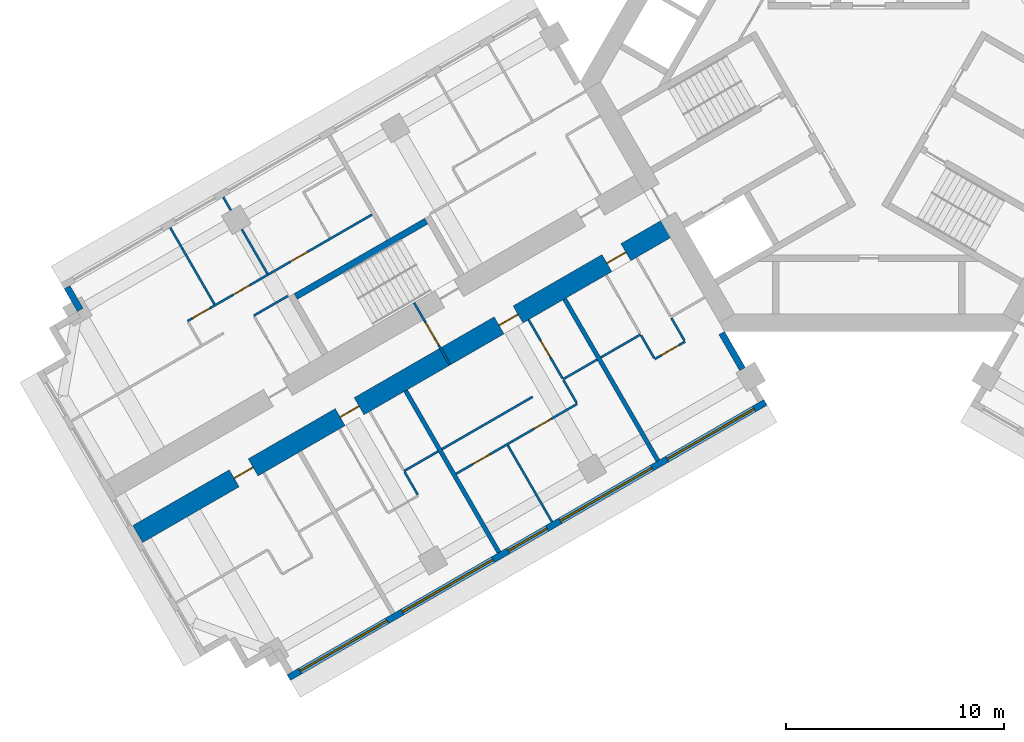
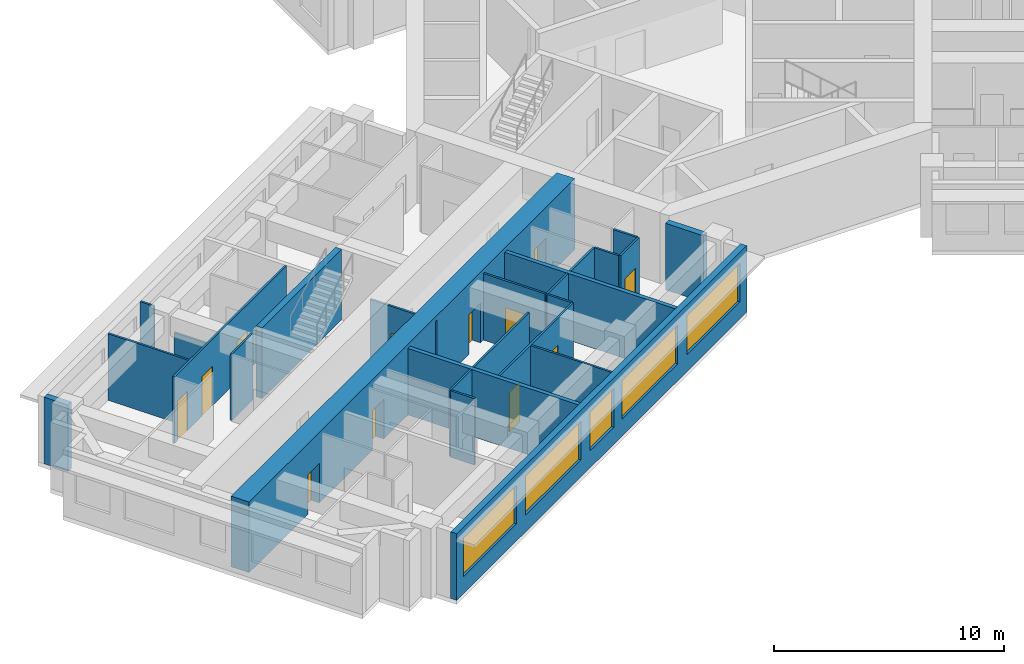
# One storey, part 3 of 12: 25 walls, 12 doors, 5 windows, 17 openings.
"""IFC4 building model written with IfcOpenShell, lengths in metres."""

import ifcopenshell
import ifcopenshell.guid

model = None  # the IFC model being written
_history = None  # IfcOwnerHistory: only IFC2X3 demands one
_inside = {}  # id of a spatial element -> (the spatial element, [elements in it])
_under = {}  # id of a project, library or spatial element -> (it, [spatial elements below it])
_declared = {}  # id of a project -> (the project, [libraries it declares])
_typed = {}  # id of a type object -> (the type object, [elements of that type])
_made_of = {}  # id of a material, layer set ... -> (it, [elements and type objects made of it])


def new_model(schema):
    """Start an empty IFC model of exactly this schema.

    Asked for "IFC4X3", IfcOpenShell would pick the latest addendum, in which some entities
    have other attributes; the version numbers below select the first issue.
    IFC2X3 requires an IfcOwnerHistory on every rooted entity: one is made here for all.
    """
    global model, _history
    if schema == "IFC4X3":
        model = ifcopenshell.file(schema_version=(4, 3, 0, 0))
    else:
        model = ifcopenshell.file(schema=schema)
    _inside.clear()
    _under.clear()
    _declared.clear()
    _typed.clear()
    _made_of.clear()
    _history = None
    if model.schema == "IFC2X3":
        org = make("IfcOrganization", Name="unknown")
        user = make(
            "IfcPersonAndOrganization",
            ThePerson=make("IfcPerson", FamilyName="unknown"),
            TheOrganization=org,
        )
        app = make(
            "IfcApplication",
            ApplicationDeveloper=org,
            Version="unknown",
            ApplicationFullName="unknown",
            ApplicationIdentifier="unknown",
        )
        _history = make(
            "IfcOwnerHistory",
            OwningUser=user,
            OwningApplication=app,
            ChangeAction="ADDED",
            CreationDate=0,
        )
    return model


def make(cls, **values):
    """One entity of the class cls with the attributes given. An attribute that is None is left unset."""
    return model.create_entity(
        cls, **{name: value for name, value in values.items() if value is not None}
    )


def rooted(cls, **values):
    """An entity with a GlobalId (a new one), such as an element, a storey or a relation."""
    return make(cls, GlobalId=ifcopenshell.guid.new(), OwnerHistory=_history, **values)


def si_unit(unit_type, name, prefix=None):
    """IfcSIUnit, for example si_unit("LENGTHUNIT", "METRE", prefix="MILLI")."""
    return make("IfcSIUnit", UnitType=unit_type, Prefix=prefix, Name=name)


def assignment(units):
    """IfcUnitAssignment: the units of a project."""
    return None if units is None else make("IfcUnitAssignment", Units=units)


def point(xyz):
    """IfcCartesianPoint."""
    return None if xyz is None else make("IfcCartesianPoint", Coordinates=xyz)


def direction(xyz):
    """IfcDirection."""
    return None if xyz is None else make("IfcDirection", DirectionRatios=xyz)


def frame(location, z_axis=None, x_axis=None):
    """IfcAxis2Placement3D, a coordinate frame: its origin and axes. An axis left out is left unset."""
    return make(
        "IfcAxis2Placement3D",
        Location=point(location),
        Axis=direction(z_axis),
        RefDirection=direction(x_axis),
    )


def frame_2d(location, x_axis=None):
    """IfcAxis2Placement2D, a coordinate frame in the plane: its origin and x axis."""
    return make(
        "IfcAxis2Placement2D", Location=point(location), RefDirection=direction(x_axis)
    )


def origin():
    """The frame at (0, 0, 0) with its axes left unset."""
    return frame((0.0, 0.0, 0.0))


def place(relative_to, where):
    """IfcLocalPlacement: puts the frame where relative to a parent placement (None: the world)."""
    return make(
        "IfcLocalPlacement", PlacementRelTo=relative_to, RelativePlacement=where
    )


def context(
    kind, dimensions, precision=None, world=None, true_north=None, identifier=None
):
    """IfcGeometricRepresentationContext, for example the 3D "Model" context."""
    return make(
        "IfcGeometricRepresentationContext",
        ContextIdentifier=identifier,
        ContextType=kind,
        CoordinateSpaceDimension=dimensions,
        Precision=precision,
        WorldCoordinateSystem=world,
        TrueNorth=true_north,
    )


def subcontext(parent, identifier, kind, view, scale=None):
    """IfcGeometricRepresentationSubContext, for example "Body" below "Model"."""
    return make(
        "IfcGeometricRepresentationSubContext",
        ContextIdentifier=identifier,
        ContextType=kind,
        ParentContext=parent,
        TargetScale=scale,
        TargetView=view,
    )


def project(units=None, contexts=None):
    """IfcProject with its units and contexts."""
    return rooted(
        "IfcProject",
        Name="project",
        RepresentationContexts=contexts,
        UnitsInContext=assignment(units),
    )


def spatial(cls, under=None, at=None, **own):
    """A site, building, storey or space (cls), placed at a placement, below another one or the project."""
    s = rooted(cls, ObjectPlacement=at, **own)
    if under is not None:
        _under.setdefault(under.id(), (under, []))[1].append(s)
    return s


def profile(cls, at=None, kind="AREA", **sizes):
    """A parametric profile (cls). Its sizes go by their IFC names, for example OverallWidth=200.0."""
    return make(cls, ProfileType=kind, Position=at, **sizes)


def rectangle(**sizes):
    """IfcRectangleProfileDef."""
    return profile("IfcRectangleProfileDef", **sizes)


def extrude(swept, where, along, depth):
    """IfcExtrudedAreaSolid: the profile swept, set in the frame where, extruded along a direction by depth."""
    return make(
        "IfcExtrudedAreaSolid",
        SweptArea=swept,
        Position=where,
        ExtrudedDirection=direction(along),
        Depth=depth,
    )


def shape(context_of_items, identifier, shape_type, items):
    """IfcShapeRepresentation: the items that make up one representation, for example the "Body"."""
    return make(
        "IfcShapeRepresentation",
        ContextOfItems=context_of_items,
        RepresentationIdentifier=identifier,
        RepresentationType=shape_type,
        Items=items,
    )


def material(Name=None, Category=None):
    """IfcMaterial."""
    return make("IfcMaterial", Name=Name, Category=Category)


def layer(
    of_material, thickness, ventilated=None, Name=None, Category=None, Priority=None
):
    """IfcMaterialLayer: one layer of a wall or slab, of a material (None: an air gap)."""
    return make(
        "IfcMaterialLayer",
        Material=of_material,
        LayerThickness=thickness,
        IsVentilated=ventilated,
        Name=Name,
        Category=Category,
        Priority=Priority,
    )


def layer_set(layers, Name=None):
    """IfcMaterialLayerSet."""
    return make("IfcMaterialLayerSet", MaterialLayers=layers, LayerSetName=Name)


def made_of(thing, what):
    """Note that an element or type object is made of a material, layer set ...; save() writes the relation."""
    if what is not None:
        _made_of.setdefault(what.id(), (what, []))[1].append(thing)
    return thing


def type_object(cls, material=None, **own):
    """A type object (cls), such as IfcWallType, which elements share."""
    return made_of(rooted(cls, **own), material)


def element(
    cls,
    number,
    at=None,
    inside=None,
    cuts=None,
    type_object=None,
    material=None,
    context=None,
    identifier="Body",
    shape_type=None,
    held_by="IfcProductDefinitionShape",
    body=None,
    shapes=None,
    **own,
):
    """One element of the class cls, such as IfcWall. Its Tag is "e" and its number.

    at: its placement. inside: the storey or other place that contains it. cuts: it is an
    opening in that element (IfcRelVoidsElement). A single representation is given by context,
    identifier, shape_type and body (its items); several are given by shapes. held_by: the class
    of the entity that holds the representations. save() writes the other relations.
    """
    e = rooted(cls, Tag="e%d" % number, ObjectPlacement=at, **own)
    if body is not None:
        shapes = [shape(context, identifier, shape_type, body)]
    if shapes is not None:
        e.Representation = make(held_by, Representations=shapes)
    if inside is not None:
        _inside.setdefault(inside.id(), (inside, []))[1].append(e)
    if cuts is not None:
        rooted(
            "IfcRelVoidsElement", RelatingBuildingElement=cuts, RelatedOpeningElement=e
        )
    if type_object is not None:
        _typed.setdefault(type_object.id(), (type_object, []))[1].append(e)
    return made_of(e, material)


def fill(opening, filler):
    """IfcRelFillsElement: the door or window that sits in an opening."""
    return rooted(
        "IfcRelFillsElement",
        RelatingOpeningElement=opening,
        RelatedBuildingElement=filler,
    )


def aggregate(whole, parts):
    """IfcRelAggregates: a whole, such as a stair, and the parts it consists of."""
    return rooted("IfcRelAggregates", RelatingObject=whole, RelatedObjects=parts)


def save(model, path):
    """Write the relations noted so far, then the file.

    IfcRelAggregates (storeys below a building ...), IfcRelContainedInSpatialStructure (elements
    in a storey), IfcRelDefinesByType, IfcRelAssociatesMaterial and IfcRelDeclares: one each for
    every whole, place, type object, material and project.
    """
    for whole, parts in _under.values():
        aggregate(whole, parts)
    for where, things in _inside.values():
        rooted(
            "IfcRelContainedInSpatialStructure",
            RelatedElements=things,
            RelatingStructure=where,
        )
    for kind, things in _typed.values():
        rooted("IfcRelDefinesByType", RelatedObjects=things, RelatingType=kind)
    for what, things in _made_of.values():
        rooted("IfcRelAssociatesMaterial", RelatedObjects=things, RelatingMaterial=what)
    for by, libraries in _declared.values():
        rooted("IfcRelDeclares", RelatingContext=by, RelatedDefinitions=libraries)
    model.write(path)


model = new_model("IFC4")

# Units and contexts
model_context = context("Model", 3, precision=1e-05, world=origin(), true_north=direction((0.0, 1.0)))
body_context = subcontext(model_context, "Body", "Model", "MODEL_VIEW")
ifc_project = project(units=[si_unit("LENGTHUNIT", "METRE"), si_unit("AREAUNIT", "SQUARE_METRE"), si_unit("VOLUMEUNIT", "CUBIC_METRE"), si_unit("PLANEANGLEUNIT", "RADIAN"), si_unit("MASSUNIT", "GRAM", prefix="KILO")], contexts=[model_context])

# Site, building, storey
site_placement = place(None, origin())
site = spatial("IfcSite", under=ifc_project, at=site_placement, CompositionType="ELEMENT")
building_placement = place(site_placement, origin())
building = spatial("IfcBuilding", under=site, at=building_placement, Name="Impinga Residences", CompositionType="ELEMENT")
storey_placement = place(building_placement, frame((0.0, 0.0, 166.0)))
storey = spatial("IfcBuildingStorey", under=building, at=storey_placement, Name="L41", CompositionType="ELEMENT", Elevation=166.0)

# Wall, openings, doors
ifc_material_1 = material(Name="Concrete C60/75", Category="concrete")
ifc_layer_1 = layer(ifc_material_1, 0.89990234375)
ifc_layer_set_1 = layer_set([ifc_layer_1], Name="Concrete C60/75")
wall_type_1 = type_object("IfcWallType", Name="BW2 corridor buttress wall, L24 to L44 900", PredefinedType="SHEAR", material=ifc_layer_set_1)
wall_1_placement = place(storey_placement, frame((-8.95361328125, -6.554931640625, 0.0), z_axis=(0.0, 0.0, 1.0), x_axis=(-0.866023392092, -0.500003484338, 0.0)))
wall_1 = element("IfcWall", 1, at=wall_1_placement, inside=storey, type_object=wall_type_1, Name="Corridor wall BW2 WC L41", PredefinedType="SHEAR", context=body_context, shape_type="SweptSolid", body=[
    extrude(rectangle(XDim=28.300048828125, YDim=0.89990234375, at=frame_2d((14.14990234375, 0.0))), origin(), (0.0, 0.0, 1.0), 3.75),
])
opening_1_placement = place(wall_1_placement, frame((2.5, 0.0, 0.0)))
opening_1 = element("IfcOpeningElement", 2, at=opening_1_placement, cuts=wall_1, Name="Opening D1", PredefinedType="OPENING", context=body_context, shape_type="SweptSolid", body=[
    extrude(rectangle(XDim=1.0, YDim=2.10009765625, at=frame_2d((0.5, 1.050048828125))), frame((0.0, 0.4599609375, 0.0), z_axis=(0.0, -1.0, 0.0), x_axis=(1.0, 0.0, 0.0)), (0.0, 0.0, 1.0), 0.919921875),
])
opening_2_placement = place(wall_1_placement, frame((8.199951171875, 0.0, 0.0)))
opening_2 = element("IfcOpeningElement", 3, at=opening_2_placement, cuts=wall_1, Name="Opening D1", PredefinedType="OPENING", context=body_context, shape_type="SweptSolid", body=[
    extrude(rectangle(XDim=1.0, YDim=2.10009765625, at=frame_2d((0.5, 1.050048828125))), frame((0.0, 0.4599609375, 0.0), z_axis=(0.0, -1.0, 0.0), x_axis=(1.0, 0.0, 0.0)), (0.0, 0.0, 1.0), 0.919921875),
])
opening_3_placement = place(wall_1_placement, frame((16.60009765625, 0.0, 0.0)))
opening_3 = element("IfcOpeningElement", 4, at=opening_3_placement, cuts=wall_1, Name="Opening D1", PredefinedType="OPENING", context=body_context, shape_type="SweptSolid", body=[
    extrude(rectangle(XDim=1.0, YDim=2.10009765625, at=frame_2d((0.5, 1.050048828125))), frame((0.0, 0.4599609375, 0.0), z_axis=(0.0, -1.0, 0.0), x_axis=(1.0, 0.0, 0.0)), (0.0, 0.0, 1.0), 0.919921875),
])
opening_4_placement = place(wall_1_placement, frame((22.199951171875, 0.0, 0.0)))
opening_4 = element("IfcOpeningElement", 5, at=opening_4_placement, cuts=wall_1, Name="Opening D1", PredefinedType="OPENING", context=body_context, shape_type="SweptSolid", body=[
    extrude(rectangle(XDim=1.0, YDim=2.10009765625, at=frame_2d((0.5, 1.050048828125))), frame((0.0, 0.4599609375, 0.0), z_axis=(0.0, -1.0, 0.0), x_axis=(1.0, 0.0, 0.0)), (0.0, 0.0, 1.0), 0.919921875),
])
ifc_material_2 = material(Name="Timber door set", Category="wood")
door_type_1 = type_object("IfcDoorType", Name="D1 apartment entrance door 1000x2100", OperationType="SINGLE_SWING_LEFT", PredefinedType="DOOR", material=ifc_material_2)
door_1_placement = place(opening_1_placement, origin())
door_1 = element("IfcDoor", 6, at=door_1_placement, inside=storey, type_object=door_type_1, Name="Apartment L41-WA1 entrance", OperationType="SINGLE_SWING_LEFT", OverallHeight=2.10009765625, OverallWidth=1.0, PredefinedType="DOOR", context=body_context, shape_type="SweptSolid", body=[
    extrude(rectangle(XDim=1.0, YDim=2.10009765625, at=frame_2d((0.5, 1.050048828125))), frame((0.0, 0.02490234375, 0.0), z_axis=(0.0, -1.0, 0.0), x_axis=(1.0, 0.0, 0.0)), (0.0, 0.0, 1.0), 0.050048828125),
])
fill(opening_1, door_1)
door_2_placement = place(opening_2_placement, origin())
door_2 = element("IfcDoor", 7, at=door_2_placement, inside=storey, type_object=door_type_1, Name="Apartment L41-WA2 entrance", OperationType="SINGLE_SWING_LEFT", OverallHeight=2.10009765625, OverallWidth=1.0, PredefinedType="DOOR", context=body_context, shape_type="SweptSolid", body=[
    extrude(rectangle(XDim=1.0, YDim=2.10009765625, at=frame_2d((0.5, 1.050048828125))), frame((0.0, 0.02490234375, 0.0), z_axis=(0.0, -1.0, 0.0), x_axis=(1.0, 0.0, 0.0)), (0.0, 0.0, 1.0), 0.050048828125),
])
fill(opening_2, door_2)
door_3_placement = place(opening_3_placement, origin())
door_3 = element("IfcDoor", 8, at=door_3_placement, inside=storey, type_object=door_type_1, Name="Apartment L41-WA3 entrance", OperationType="SINGLE_SWING_RIGHT", OverallHeight=2.10009765625, OverallWidth=1.0, PredefinedType="DOOR", context=body_context, shape_type="SweptSolid", body=[
    extrude(rectangle(XDim=1.0, YDim=2.10009765625, at=frame_2d((0.5, 1.050048828125))), frame((0.0, 0.02490234375, 0.0), z_axis=(0.0, -1.0, 0.0), x_axis=(1.0, 0.0, 0.0)), (0.0, 0.0, 1.0), 0.050048828125),
])
fill(opening_3, door_3)
door_4_placement = place(opening_4_placement, origin())
door_4 = element("IfcDoor", 9, at=door_4_placement, inside=storey, type_object=door_type_1, Name="Apartment L41-WA4 entrance", OperationType="SINGLE_SWING_RIGHT", OverallHeight=2.10009765625, OverallWidth=1.0, PredefinedType="DOOR", context=body_context, shape_type="SweptSolid", body=[
    extrude(rectangle(XDim=1.0, YDim=2.10009765625, at=frame_2d((0.5, 1.050048828125))), frame((0.0, 0.02490234375, 0.0), z_axis=(0.0, -1.0, 0.0), x_axis=(1.0, 0.0, 0.0)), (0.0, 0.0, 1.0), 0.050048828125),
])
fill(opening_4, door_4)

# Wall, opening, door
ifc_material_3 = material(Name="Concrete blockwork", Category="masonry")
ifc_layer_2 = layer(ifc_material_3, 0.10009765625)
ifc_layer_set_2 = layer_set([ifc_layer_2], Name="CP1 core room partition, blockwork 100")
wall_type_2 = type_object("IfcWallType", Name="CP1 core room partition, blockwork 100", PredefinedType="PARTITIONING", material=ifc_layer_set_2)
wall_2_placement = place(storey_placement, frame((-19.16455078125, -12.969970703125, 0.0), z_axis=(0.0, 0.0, 1.0), x_axis=(-0.50002983664, 0.866008176907, 0.0)))
wall_2 = element("IfcWall", 10, at=wall_2_placement, inside=storey, type_object=wall_type_2, Name="Core room partition, blockwork L41:W:SCR", PredefinedType="PARTITIONING", context=body_context, shape_type="SweptSolid", body=[
    extrude(rectangle(XDim=3.300048828125, YDim=0.10009765625, at=frame_2d((1.64990234375, 0.0))), origin(), (0.0, 0.0, 1.0), 3.530029296875),
])
opening_5_placement = place(wall_2_placement, frame((1.050048828125, 0.0, 0.0)))
opening_5 = element("IfcOpeningElement", 11, at=opening_5_placement, cuts=wall_2, Name="Opening D3", PredefinedType="OPENING", context=body_context, shape_type="SweptSolid", body=[
    extrude(rectangle(XDim=1.199951171875, YDim=2.10009765625, at=frame_2d((0.60009765625, 1.050048828125))), frame((0.0, 0.06005859375, 0.0), z_axis=(0.0, -1.0, 0.0), x_axis=(1.0, 0.0, 0.0)), (0.0, 0.0, 1.0), 0.1201171875),
])
door_type_2 = type_object("IfcDoorType", Name="D3 room door, leaf and a half 1200x2100", OperationType="DOUBLE_SWING_LEFT", PredefinedType="DOOR", material=ifc_material_2)
door_5_placement = place(opening_5_placement, origin())
door_5 = element("IfcDoor", 12, at=door_5_placement, inside=storey, type_object=door_type_2, Name="Corridor smoke door W", OperationType="DOUBLE_SWING_LEFT", OverallHeight=2.10009765625, OverallWidth=1.199951171875, PredefinedType="DOOR", context=body_context, shape_type="SweptSolid", body=[
    extrude(rectangle(XDim=1.199951171875, YDim=2.10009765625, at=frame_2d((0.60009765625, 1.050048828125))), frame((0.0, 0.02490234375, 0.0), z_axis=(0.0, -1.0, 0.0), x_axis=(1.0, 0.0, 0.0)), (0.0, 0.0, 1.0), 0.050048828125),
])
fill(opening_5, door_5)

# Walls
ifc_material_4 = material(Name="Terracotta rainscreen on blockwork", Category="masonry")
ifc_layer_3 = layer(ifc_material_4, 0.300048828125)
ifc_layer_set_3 = layer_set([ifc_layer_3], Name="EW1 external wall, terracotta rainscreen on blockwork 300")
wall_type_3 = type_object("IfcWallType", Name="EW1 external wall, terracotta rainscreen on blockwork 300", PredefinedType="SOLIDWALL", material=ifc_layer_set_3)
wall_3_placement = place(storey_placement, frame((-36.093994140625, -10.446533203125, 0.0), z_axis=(0.0, 0.0, 1.0), x_axis=(-0.499880961361, 0.866094119867, 0.0)))
element("IfcWall", 13, at=wall_3_placement, inside=storey, type_object=wall_type_3, Name="External wall EW1 L41", PredefinedType="SOLIDWALL", context=body_context, shape_type="SweptSolid", body=[
    extrude(rectangle(XDim=1.199951171875, YDim=0.300048828125, at=frame_2d((0.60009765625, 0.0))), origin(), (0.0, 0.0, 1.0), 3.530029296875),
])
wall_4_placement = place(storey_placement, frame((-6.72998046875, -11.506591796875, 0.0), z_axis=(0.0, 0.0, 1.0), x_axis=(0.500063520245, -0.865988727248, 0.0)))
element("IfcWall", 14, at=wall_4_placement, inside=storey, type_object=wall_type_3, Name="External wall EW1 L41", PredefinedType="SOLIDWALL", context=body_context, shape_type="SweptSolid", body=[
    extrude(rectangle(XDim=1.900146484375, YDim=0.300048828125, at=frame_2d((0.9501953125, 0.0))), origin(), (0.0, 0.0, 1.0), 3.530029296875),
])

# Wall, openings, windows
wall_5_placement = place(storey_placement, frame((-4.72509765625, -14.67919921875, 0.0), z_axis=(0.0, 0.0, 1.0), x_axis=(-0.866026832479, -0.499997525421, 0.0)))
wall_5 = element("IfcWall", 15, at=wall_5_placement, inside=storey, type_object=wall_type_3, Name="External wall EW1 L41", PredefinedType="SOLIDWALL", context=body_context, shape_type="SweptSolid", body=[
    extrude(rectangle(XDim=25.199951171875, YDim=0.300048828125, at=frame_2d((12.60009765625, 0.0))), origin(), (0.0, 0.0, 1.0), 3.530029296875),
])
opening_6_placement = place(wall_5_placement, frame((0.60009765625, 0.0, 0.89990234375)))
opening_6 = element("IfcOpeningElement", 16, at=opening_6_placement, cuts=wall_5, Name="Opening W3", PredefinedType="OPENING", context=body_context, shape_type="SweptSolid", body=[
    extrude(rectangle(XDim=4.60009765625, YDim=2.050048828125, at=frame_2d((2.300048828125, 1.02490234375))), frame((0.0, 0.159912109375, 0.0), z_axis=(0.0, -1.0, 0.0), x_axis=(1.0, 0.0, 0.0)), (0.0, 0.0, 1.0), 0.320068359375),
])
opening_7_placement = place(wall_5_placement, frame((6.0, 0.0, 0.89990234375)))
opening_7 = element("IfcOpeningElement", 17, at=opening_7_placement, cuts=wall_5, Name="Opening W6", PredefinedType="OPENING", context=body_context, shape_type="SweptSolid", body=[
    extrude(rectangle(XDim=4.85009765625, YDim=2.050048828125, at=frame_2d((2.425048828125, 1.02490234375))), frame((0.0, 0.159912109375, 0.0), z_axis=(0.0, -1.0, 0.0), x_axis=(1.0, 0.0, 0.0)), (0.0, 0.0, 1.0), 0.320068359375),
])
opening_8_placement = place(wall_5_placement, frame((11.550048828125, 0.0, 0.89990234375)))
opening_8 = element("IfcOpeningElement", 18, at=opening_8_placement, cuts=wall_5, Name="Opening W14", PredefinedType="OPENING", context=body_context, shape_type="SweptSolid", body=[
    extrude(rectangle(XDim=2.050048828125, YDim=2.050048828125, at=frame_2d((1.02490234375, 1.02490234375))), frame((0.0, 0.159912109375, 0.0), z_axis=(0.0, -1.0, 0.0), x_axis=(1.0, 0.0, 0.0)), (0.0, 0.0, 1.0), 0.320068359375),
])
opening_9_placement = place(wall_5_placement, frame((14.39990234375, 0.0, 0.89990234375)))
opening_9 = element("IfcOpeningElement", 19, at=opening_9_placement, cuts=wall_5, Name="Opening W8", PredefinedType="OPENING", context=body_context, shape_type="SweptSolid", body=[
    extrude(rectangle(XDim=4.800048828125, YDim=2.050048828125, at=frame_2d((2.39990234375, 1.02490234375))), frame((0.0, 0.159912109375, 0.0), z_axis=(0.0, -1.0, 0.0), x_axis=(1.0, 0.0, 0.0)), (0.0, 0.0, 1.0), 0.320068359375),
])
opening_10_placement = place(wall_5_placement, frame((20.0, 0.0, 0.89990234375)))
opening_10 = element("IfcOpeningElement", 20, at=opening_10_placement, cuts=wall_5, Name="Opening W3", PredefinedType="OPENING", context=body_context, shape_type="SweptSolid", body=[
    extrude(rectangle(XDim=4.60009765625, YDim=2.050048828125, at=frame_2d((2.300048828125, 1.02490234375))), frame((0.0, 0.159912109375, 0.0), z_axis=(0.0, -1.0, 0.0), x_axis=(1.0, 0.0, 0.0)), (0.0, 0.0, 1.0), 0.320068359375),
])
ifc_material_5 = material(Name="Aluminium window, clear double glazing", Category="aluminium")
window_type_1 = type_object("IfcWindowType", Name="W14 ribbon window 2050x2050", PartitioningType="SINGLE_PANEL", PredefinedType="WINDOW", material=ifc_material_5)
window_1_placement = place(opening_8_placement, origin())
window_1 = element("IfcWindow", 21, at=window_1_placement, inside=storey, type_object=window_type_1, Name="Window L41", OverallHeight=2.050048828125, OverallWidth=2.050048828125, PartitioningType="SINGLE_PANEL", PredefinedType="WINDOW", context=body_context, shape_type="SweptSolid", body=[
    extrude(rectangle(XDim=2.050048828125, YDim=2.050048828125, at=frame_2d((1.02490234375, 1.02490234375))), frame((0.0, 0.030029296875, 0.0), z_axis=(0.0, -1.0, 0.0), x_axis=(1.0, 0.0, 0.0)), (0.0, 0.0, 1.0), 0.06005859375),
])
fill(opening_8, window_1)
window_type_2 = type_object("IfcWindowType", Name="W3 ribbon window 4600x2050", PartitioningType="SINGLE_PANEL", PredefinedType="WINDOW", material=ifc_material_5)
window_2_placement = place(opening_6_placement, origin())
window_2 = element("IfcWindow", 22, at=window_2_placement, inside=storey, type_object=window_type_2, Name="Window L41", OverallHeight=2.050048828125, OverallWidth=4.60009765625, PartitioningType="SINGLE_PANEL", PredefinedType="WINDOW", context=body_context, shape_type="SweptSolid", body=[
    extrude(rectangle(XDim=4.60009765625, YDim=2.050048828125, at=frame_2d((2.300048828125, 1.02490234375))), frame((0.0, 0.030029296875, 0.0), z_axis=(0.0, -1.0, 0.0), x_axis=(1.0, 0.0, 0.0)), (0.0, 0.0, 1.0), 0.06005859375),
])
fill(opening_6, window_2)
window_3_placement = place(opening_10_placement, origin())
window_3 = element("IfcWindow", 23, at=window_3_placement, inside=storey, type_object=window_type_2, Name="Window L41", OverallHeight=2.050048828125, OverallWidth=4.60009765625, PartitioningType="SINGLE_PANEL", PredefinedType="WINDOW", context=body_context, shape_type="SweptSolid", body=[
    extrude(rectangle(XDim=4.60009765625, YDim=2.050048828125, at=frame_2d((2.300048828125, 1.02490234375))), frame((0.0, 0.030029296875, 0.0), z_axis=(0.0, -1.0, 0.0), x_axis=(1.0, 0.0, 0.0)), (0.0, 0.0, 1.0), 0.06005859375),
])
fill(opening_10, window_3)
window_type_3 = type_object("IfcWindowType", Name="W6 ribbon window 4850x2050", PartitioningType="SINGLE_PANEL", PredefinedType="WINDOW", material=ifc_material_5)
window_4_placement = place(opening_7_placement, origin())
window_4 = element("IfcWindow", 24, at=window_4_placement, inside=storey, type_object=window_type_3, Name="Window L41", OverallHeight=2.050048828125, OverallWidth=4.85009765625, PartitioningType="SINGLE_PANEL", PredefinedType="WINDOW", context=body_context, shape_type="SweptSolid", body=[
    extrude(rectangle(XDim=4.85009765625, YDim=2.050048828125, at=frame_2d((2.425048828125, 1.02490234375))), frame((0.0, 0.030029296875, 0.0), z_axis=(0.0, -1.0, 0.0), x_axis=(1.0, 0.0, 0.0)), (0.0, 0.0, 1.0), 0.06005859375),
])
fill(opening_7, window_4)
window_type_4 = type_object("IfcWindowType", Name="W8 ribbon window 4800x2050", PartitioningType="SINGLE_PANEL", PredefinedType="WINDOW", material=ifc_material_5)
window_5_placement = place(opening_9_placement, origin())
window_5 = element("IfcWindow", 25, at=window_5_placement, inside=storey, type_object=window_type_4, Name="Window L41", OverallHeight=2.050048828125, OverallWidth=4.800048828125, PartitioningType="SINGLE_PANEL", PredefinedType="WINDOW", context=body_context, shape_type="SweptSolid", body=[
    extrude(rectangle(XDim=4.800048828125, YDim=2.050048828125, at=frame_2d((2.39990234375, 1.02490234375))), frame((0.0, 0.030029296875, 0.0), z_axis=(0.0, -1.0, 0.0), x_axis=(1.0, 0.0, 0.0)), (0.0, 0.0, 1.0), 0.06005859375),
])
fill(opening_9, window_5)

# Wall
ifc_material_6 = material(Name="Gypsum board on steel studs", Category="steel")
ifc_layer_4 = layer(ifc_material_6, 0.10009765625)
ifc_layer_set_4 = layer_set([ifc_layer_4], Name="Gypsum board on steel studs")
wall_type_4 = type_object("IfcWallType", Name="IP1 partition 100", PredefinedType="PARTITIONING", material=ifc_layer_set_4)
wall_6_placement = place(storey_placement, frame((-10.444580078125, -11.57275390625, 0.0), z_axis=(0.0, 0.0, 1.0), x_axis=(-0.866009402589, -0.500027713859, 0.0)))
element("IfcWall", 26, at=wall_6_placement, inside=storey, type_object=wall_type_4, Name="Partition L41-WA1:DIV1", PredefinedType="PARTITIONING", context=body_context, shape_type="SweptSolid", body=[
    extrude(rectangle(XDim=2.10009765625, YDim=0.10009765625, at=frame_2d((1.050048828125, 0.0))), origin(), (0.0, 0.0, 1.0), 3.530029296875),
])

# Wall, opening, door
wall_7_placement = place(storey_placement, frame((-8.408935546875, -11.8984375, 0.0), z_axis=(0.0, 0.0, 1.0), x_axis=(-0.865989903783, -0.500061482766, 0.0)))
wall_7 = element("IfcWall", 27, at=wall_7_placement, inside=storey, type_object=wall_type_4, Name="Partition L41-WA1:STRIP", PredefinedType="PARTITIONING", context=body_context, shape_type="SweptSolid", body=[
    extrude(rectangle(XDim=1.599853515625, YDim=0.10009765625, at=frame_2d((0.7998046875, 0.0))), origin(), (0.0, 0.0, 1.0), 3.530029296875),
])
opening_11_placement = place(wall_7_placement, frame((0.35009765625, 0.0, 0.0)))
opening_11 = element("IfcOpeningElement", 28, at=opening_11_placement, cuts=wall_7, Name="Opening D2", PredefinedType="OPENING", context=body_context, shape_type="SweptSolid", body=[
    extrude(rectangle(XDim=0.89990234375, YDim=2.10009765625, at=frame_2d((0.449951171875, 1.050048828125))), frame((0.0, 0.06005859375, 0.0), z_axis=(0.0, -1.0, 0.0), x_axis=(1.0, 0.0, 0.0)), (0.0, 0.0, 1.0), 0.1201171875),
])
door_type_3 = type_object("IfcDoorType", Name="D2 internal door 900x2100", OperationType="SINGLE_SWING_LEFT", PredefinedType="DOOR", material=ifc_material_2)
door_6_placement = place(opening_11_placement, origin())
door_6 = element("IfcDoor", 29, at=door_6_placement, inside=storey, type_object=door_type_3, Name="Apartment L41-WA1 room door", OperationType="SINGLE_SWING_LEFT", OverallHeight=2.10009765625, OverallWidth=0.89990234375, PredefinedType="DOOR", context=body_context, shape_type="SweptSolid", body=[
    extrude(rectangle(XDim=0.89990234375, YDim=2.10009765625, at=frame_2d((0.449951171875, 1.050048828125))), frame((0.0, 0.02490234375, 0.0), z_axis=(0.0, -1.0, 0.0), x_axis=(1.0, 0.0, 0.0)), (0.0, 0.0, 1.0), 0.050048828125),
])
fill(opening_11, door_6)

# Walls
wall_8_placement = place(storey_placement, frame((-9.033935546875, -10.81591796875, 0.0), z_axis=(0.0, 0.0, 1.0), x_axis=(0.500033551112, -0.866006032174, 0.0)))
element("IfcWall", 30, at=wall_8_placement, inside=storey, type_object=wall_type_4, Name="Partition L41-WA1:SE0", PredefinedType="PARTITIONING", context=body_context, shape_type="SweptSolid", body=[
    extrude(rectangle(XDim=1.2001953125, YDim=0.10009765625, at=frame_2d((0.60009765625, 0.0))), origin(), (0.0, 0.0, 1.0), 3.530029296875),
])
wall_9_placement = place(storey_placement, frame((-10.41943359375, -11.615966796875, 0.0), z_axis=(0.0, 0.0, 1.0), x_axis=(0.499880961361, -0.866094119867, 0.0)))
element("IfcWall", 31, at=wall_9_placement, inside=storey, type_object=wall_type_4, Name="Partition L41-WA1:SE1", PredefinedType="PARTITIONING", context=body_context, shape_type="SweptSolid", body=[
    extrude(rectangle(XDim=1.199951171875, YDim=0.10009765625, at=frame_2d((0.60009765625, 0.0))), origin(), (0.0, 0.0, 1.0), 3.530029296875),
])
wall_10_placement = place(storey_placement, frame((-12.436279296875, -12.72265625, 0.0), z_axis=(0.0, 0.0, 1.0), x_axis=(-0.865989075817, -0.500062916607, 0.0)))
element("IfcWall", 32, at=wall_10_placement, inside=storey, type_object=wall_type_4, Name="Partition L41-WA2:DIV0", PredefinedType="PARTITIONING", context=body_context, shape_type="SweptSolid", body=[
    extrude(rectangle(XDim=1.800048828125, YDim=0.10009765625, at=frame_2d((0.89990234375, 0.0))), origin(), (0.0, 0.0, 1.0), 3.530029296875),
])
wall_11_placement = place(storey_placement, frame((-15.380859375, -14.422607421875, 0.0), z_axis=(0.0, 0.0, 1.0), x_axis=(-0.866015339567, -0.500017431331, 0.0)))
element("IfcWall", 33, at=wall_11_placement, inside=storey, type_object=wall_type_4, Name="Partition L41-WA2:DIV1", PredefinedType="PARTITIONING", context=body_context, shape_type="SweptSolid", body=[
    extrude(rectangle(XDim=4.800048828125, YDim=0.10009765625, at=frame_2d((2.39990234375, 0.0))), origin(), (0.0, 0.0, 1.0), 3.530029296875),
])

# Wall, openings, doors
wall_12_placement = place(storey_placement, frame((-13.34521484375, -14.74853515625, 0.0), z_axis=(0.0, 0.0, 1.0), x_axis=(-0.866025499775, -0.499999833739, 0.0)))
wall_12 = element("IfcWall", 34, at=wall_12_placement, inside=storey, type_object=wall_type_4, Name="Partition L41-WA2:STRIP", PredefinedType="PARTITIONING", context=body_context, shape_type="SweptSolid", body=[
    extrude(rectangle(XDim=6.39990234375, YDim=0.10009765625, at=frame_2d((3.199951171875, 0.0))), origin(), (0.0, 0.0, 1.0), 3.530029296875),
])
opening_12_placement = place(wall_12_placement, frame((1.375, 0.0, 0.0)))
opening_12 = element("IfcOpeningElement", 35, at=opening_12_placement, cuts=wall_12, Name="Opening D2", PredefinedType="OPENING", context=body_context, shape_type="SweptSolid", body=[
    extrude(rectangle(XDim=0.89990234375, YDim=2.10009765625, at=frame_2d((0.449951171875, 1.050048828125))), frame((0.0, 0.06005859375, 0.0), z_axis=(0.0, -1.0, 0.0), x_axis=(1.0, 0.0, 0.0)), (0.0, 0.0, 1.0), 0.1201171875),
])
opening_13_placement = place(wall_12_placement, frame((4.625, 0.0, 0.0)))
opening_13 = element("IfcOpeningElement", 36, at=opening_13_placement, cuts=wall_12, Name="Opening D2", PredefinedType="OPENING", context=body_context, shape_type="SweptSolid", body=[
    extrude(rectangle(XDim=0.89990234375, YDim=2.10009765625, at=frame_2d((0.449951171875, 1.050048828125))), frame((0.0, 0.06005859375, 0.0), z_axis=(0.0, -1.0, 0.0), x_axis=(1.0, 0.0, 0.0)), (0.0, 0.0, 1.0), 0.1201171875),
])
door_7_placement = place(opening_12_placement, origin())
door_7 = element("IfcDoor", 37, at=door_7_placement, inside=storey, type_object=door_type_3, Name="Apartment L41-WA2 room door", OperationType="SINGLE_SWING_LEFT", OverallHeight=2.10009765625, OverallWidth=0.89990234375, PredefinedType="DOOR", context=body_context, shape_type="SweptSolid", body=[
    extrude(rectangle(XDim=0.89990234375, YDim=2.10009765625, at=frame_2d((0.449951171875, 1.050048828125))), frame((0.0, 0.02490234375, 0.0), z_axis=(0.0, -1.0, 0.0), x_axis=(1.0, 0.0, 0.0)), (0.0, 0.0, 1.0), 0.050048828125),
])
fill(opening_12, door_7)
door_8_placement = place(opening_13_placement, origin())
door_8 = element("IfcDoor", 38, at=door_8_placement, inside=storey, type_object=door_type_3, Name="Apartment L41-WA2 room door", OperationType="SINGLE_SWING_RIGHT", OverallHeight=2.10009765625, OverallWidth=0.89990234375, PredefinedType="DOOR", context=body_context, shape_type="SweptSolid", body=[
    extrude(rectangle(XDim=0.89990234375, YDim=2.10009765625, at=frame_2d((0.449951171875, 1.050048828125))), frame((0.0, 0.02490234375, 0.0), z_axis=(0.0, -1.0, 0.0), x_axis=(1.0, 0.0, 0.0)), (0.0, 0.0, 1.0), 0.050048828125),
])
fill(opening_13, door_8)

# Wall
wall_13_placement = place(storey_placement, frame((-13.97021484375, -13.666015625, 0.0), z_axis=(0.0, 0.0, 1.0), x_axis=(0.500033551112, -0.866006032174, 0.0)))
element("IfcWall", 39, at=wall_13_placement, inside=storey, type_object=wall_type_4, Name="Partition L41-WA2:SE0", PredefinedType="PARTITIONING", context=body_context, shape_type="SweptSolid", body=[
    extrude(rectangle(XDim=1.2001953125, YDim=0.10009765625, at=frame_2d((0.60009765625, 0.0))), origin(), (0.0, 0.0, 1.0), 3.530029296875),
])

# Wall, opening, door
wall_14_placement = place(storey_placement, frame((-15.5703125, -10.894775390625, 0.0), z_axis=(0.0, 0.0, 1.0), x_axis=(0.500026960575, -0.86600983753, 0.0)))
wall_14 = element("IfcWall", 40, at=wall_14_placement, inside=storey, type_object=wall_type_4, Name="Partition L41-WA2:IB1", PredefinedType="PARTITIONING", context=body_context, shape_type="SweptSolid", body=[
    extrude(rectangle(XDim=3.099853515625, YDim=0.10009765625, at=frame_2d((1.5498046875, 0.0))), origin(), (0.0, 0.0, 1.0), 3.530029296875),
])
opening_14_placement = place(wall_14_placement, frame((1.10009765625, 0.0, 0.0)))
opening_14 = element("IfcOpeningElement", 41, at=opening_14_placement, cuts=wall_14, Name="Opening D2", PredefinedType="OPENING", context=body_context, shape_type="SweptSolid", body=[
    extrude(rectangle(XDim=0.89990234375, YDim=2.10009765625, at=frame_2d((0.449951171875, 1.050048828125))), frame((0.0, 0.06005859375, 0.0), z_axis=(0.0, -1.0, 0.0), x_axis=(1.0, 0.0, 0.0)), (0.0, 0.0, 1.0), 0.1201171875),
])
door_9_placement = place(opening_14_placement, origin())
door_9 = element("IfcDoor", 42, at=door_9_placement, inside=storey, type_object=door_type_3, Name="Apartment L41-WA2 bathroom door", OperationType="SINGLE_SWING_LEFT", OverallHeight=2.10009765625, OverallWidth=0.89990234375, PredefinedType="DOOR", context=body_context, shape_type="SweptSolid", body=[
    extrude(rectangle(XDim=0.89990234375, YDim=2.10009765625, at=frame_2d((0.449951171875, 1.050048828125))), frame((0.0, 0.02490234375, 0.0), z_axis=(0.0, -1.0, 0.0), x_axis=(1.0, 0.0, 0.0)), (0.0, 0.0, 1.0), 0.050048828125),
])
fill(opening_14, door_9)

# Walls
wall_15_placement = place(storey_placement, frame((-16.5244140625, -16.641845703125, 0.0), z_axis=(0.0, 0.0, 1.0), x_axis=(0.499990325971, -0.866030989016, 0.0)))
element("IfcWall", 43, at=wall_15_placement, inside=storey, type_object=wall_type_4, Name="Partition L41-WA2:OB1", PredefinedType="PARTITIONING", context=body_context, shape_type="SweptSolid", body=[
    extrude(rectangle(XDim=4.0498046875, YDim=0.10009765625, at=frame_2d((2.02490234375, 0.0))), origin(), (0.0, 0.0, 1.0), 3.530029296875),
])
wall_16_placement = place(storey_placement, frame((-19.7109375, -16.922607421875, 0.0), z_axis=(0.0, 0.0, 1.0), x_axis=(-0.865989075817, -0.500062916607, 0.0)))
element("IfcWall", 44, at=wall_16_placement, inside=storey, type_object=wall_type_4, Name="Partition L41-WA3:DIV0", PredefinedType="PARTITIONING", context=body_context, shape_type="SweptSolid", body=[
    extrude(rectangle(XDim=1.800048828125, YDim=0.10009765625, at=frame_2d((0.89990234375, 0.0))), origin(), (0.0, 0.0, 1.0), 3.530029296875),
])
wall_17_placement = place(storey_placement, frame((-21.244873046875, -17.865966796875, 0.0), z_axis=(0.0, 0.0, 1.0), x_axis=(0.500033551112, -0.866006032174, 0.0)))
element("IfcWall", 45, at=wall_17_placement, inside=storey, type_object=wall_type_4, Name="Partition L41-WA3:SE0", PredefinedType="PARTITIONING", context=body_context, shape_type="SweptSolid", body=[
    extrude(rectangle(XDim=1.2001953125, YDim=0.10009765625, at=frame_2d((0.60009765625, 0.0))), origin(), (0.0, 0.0, 1.0), 3.530029296875),
])
wall_18_placement = place(storey_placement, frame((-26.58935546875, -9.808837890625, 0.0), z_axis=(0.0, 0.0, 1.0), x_axis=(-0.866047807691, -0.499961193289, 0.0)))
element("IfcWall", 46, at=wall_18_placement, inside=storey, type_object=wall_type_4, Name="Partition L41-WF2:DIV0", PredefinedType="PARTITIONING", context=body_context, shape_type="SweptSolid", body=[
    extrude(rectangle(XDim=1.800048828125, YDim=0.10009765625, at=frame_2d((0.89990234375, 0.0))), origin(), (0.0, 0.0, 1.0), 3.530029296875),
])

# Wall, openings, doors
wall_19_placement = place(storey_placement, frame((-22.736083984375, -6.0830078125, 0.0), z_axis=(0.0, 0.0, 1.0), x_axis=(-0.866027967067, -0.499995560238, 0.0)))
wall_19 = element("IfcWall", 47, at=wall_19_placement, inside=storey, type_object=wall_type_4, Name="Partition L41-WF2:STRIP", PredefinedType="PARTITIONING", context=body_context, shape_type="SweptSolid", body=[
    extrude(rectangle(XDim=9.75, YDim=0.10009765625, at=frame_2d((4.875, 0.0))), origin(), (0.0, 0.0, 1.0), 3.530029296875),
])
opening_15_placement = place(wall_19_placement, frame((3.39990234375, 0.0, 0.0)))
opening_15 = element("IfcOpeningElement", 48, at=opening_15_placement, cuts=wall_19, Name="Opening D2", PredefinedType="OPENING", context=body_context, shape_type="SweptSolid", body=[
    extrude(rectangle(XDim=0.89990234375, YDim=2.10009765625, at=frame_2d((0.449951171875, 1.050048828125))), frame((0.0, 0.06005859375, 0.0), z_axis=(0.0, -1.0, 0.0), x_axis=(1.0, 0.0, 0.0)), (0.0, 0.0, 1.0), 0.1201171875),
])
opening_16_placement = place(wall_19_placement, frame((6.449951171875, 0.0, 0.0)))
opening_16 = element("IfcOpeningElement", 49, at=opening_16_placement, cuts=wall_19, Name="Opening D2", PredefinedType="OPENING", context=body_context, shape_type="SweptSolid", body=[
    extrude(rectangle(XDim=0.89990234375, YDim=2.10009765625, at=frame_2d((0.449951171875, 1.050048828125))), frame((0.0, 0.06005859375, 0.0), z_axis=(0.0, -1.0, 0.0), x_axis=(1.0, 0.0, 0.0)), (0.0, 0.0, 1.0), 0.1201171875),
])
opening_17_placement = place(wall_19_placement, frame((8.60009765625, 0.0, 0.0)))
opening_17 = element("IfcOpeningElement", 50, at=opening_17_placement, cuts=wall_19, Name="Opening D2", PredefinedType="OPENING", context=body_context, shape_type="SweptSolid", body=[
    extrude(rectangle(XDim=0.89990234375, YDim=2.10009765625, at=frame_2d((0.449951171875, 1.050048828125))), frame((0.0, 0.06005859375, 0.0), z_axis=(0.0, -1.0, 0.0), x_axis=(1.0, 0.0, 0.0)), (0.0, 0.0, 1.0), 0.1201171875),
])
door_10_placement = place(opening_15_placement, origin())
door_10 = element("IfcDoor", 51, at=door_10_placement, inside=storey, type_object=door_type_3, Name="Apartment L41-WF2 room door", OperationType="SINGLE_SWING_LEFT", OverallHeight=2.10009765625, OverallWidth=0.89990234375, PredefinedType="DOOR", context=body_context, shape_type="SweptSolid", body=[
    extrude(rectangle(XDim=0.89990234375, YDim=2.10009765625, at=frame_2d((0.449951171875, 1.050048828125))), frame((0.0, 0.02490234375, 0.0), z_axis=(0.0, -1.0, 0.0), x_axis=(1.0, 0.0, 0.0)), (0.0, 0.0, 1.0), 0.050048828125),
])
fill(opening_15, door_10)
door_11_placement = place(opening_16_placement, origin())
door_11 = element("IfcDoor", 52, at=door_11_placement, inside=storey, type_object=door_type_3, Name="Apartment L41-WF2 room door", OperationType="SINGLE_SWING_RIGHT", OverallHeight=2.10009765625, OverallWidth=0.89990234375, PredefinedType="DOOR", context=body_context, shape_type="SweptSolid", body=[
    extrude(rectangle(XDim=0.89990234375, YDim=2.10009765625, at=frame_2d((0.449951171875, 1.050048828125))), frame((0.0, 0.02490234375, 0.0), z_axis=(0.0, -1.0, 0.0), x_axis=(1.0, 0.0, 0.0)), (0.0, 0.0, 1.0), 0.050048828125),
])
fill(opening_16, door_11)
door_12_placement = place(opening_17_placement, origin())
door_12 = element("IfcDoor", 53, at=door_12_placement, inside=storey, type_object=door_type_3, Name="Apartment L41-WF2 room door", OperationType="SINGLE_SWING_RIGHT", OverallHeight=2.10009765625, OverallWidth=0.89990234375, PredefinedType="DOOR", context=body_context, shape_type="SweptSolid", body=[
    extrude(rectangle(XDim=0.89990234375, YDim=2.10009765625, at=frame_2d((0.449951171875, 1.050048828125))), frame((0.0, 0.02490234375, 0.0), z_axis=(0.0, -1.0, 0.0), x_axis=(1.0, 0.0, 0.0)), (0.0, 0.0, 1.0), 0.050048828125),
])
fill(opening_17, door_12)

# Walls
wall_20_placement = place(storey_placement, frame((-27.524169921875, -8.789794921875, 0.0), z_axis=(0.0, 0.0, 1.0), x_axis=(-0.500016218704, 0.866016039709, 0.0)))
element("IfcWall", 54, at=wall_20_placement, inside=storey, type_object=wall_type_4, Name="Partition L41-WF2:OB1", PredefinedType="PARTITIONING", context=body_context, shape_type="SweptSolid", body=[
    extrude(rectangle(XDim=2.35009765625, YDim=0.10009765625, at=frame_2d((1.175048828125, 0.0))), origin(), (0.0, 0.0, 1.0), 2.47998046875),
])
wall_21_placement = place(storey_placement, frame((-29.19921875, -5.888427734375, 0.0), z_axis=(0.0, 0.0, 1.0), x_axis=(-0.500114896893, 0.865959057869, 0.0)))
element("IfcWall", 55, at=wall_21_placement, inside=storey, type_object=wall_type_4, Name="Partition L41-WF2:OB1b", PredefinedType="PARTITIONING", context=body_context, shape_type="SweptSolid", body=[
    extrude(rectangle(XDim=0.699951171875, YDim=0.10009765625, at=frame_2d((0.35009765625, 0.0))), origin(), (0.0, 0.0, 1.0), 3.530029296875),
])
wall_22_placement = place(storey_placement, frame((-29.94921875, -10.189697265625, 0.0), z_axis=(0.0, 0.0, 1.0), x_axis=(-0.499990325971, 0.866030989016, 0.0)))
element("IfcWall", 56, at=wall_22_placement, inside=storey, type_object=wall_type_4, Name="Partition L41-WF2:OB2", PredefinedType="PARTITIONING", context=body_context, shape_type="SweptSolid", body=[
    extrude(rectangle(XDim=4.0498046875, YDim=0.10009765625, at=frame_2d((2.02490234375, 0.0))), origin(), (0.0, 0.0, 1.0), 3.530029296875),
])
ifc_layer_5 = layer(ifc_material_3, 0.199951171875)
ifc_layer_set_5 = layer_set([ifc_layer_5], Name="PW1 party wall between apartments 200")
wall_type_5 = type_object("IfcWallType", Name="PW1 party wall between apartments 200", PredefinedType="SOLIDWALL", material=ifc_layer_set_5)
wall_23_placement = place(storey_placement, frame((-13.9248046875, -9.94482421875, 0.0), z_axis=(0.0, 0.0, 1.0), x_axis=(0.500024008071, -0.866011542275, 0.0)))
element("IfcWall", 57, at=wall_23_placement, inside=storey, type_object=wall_type_5, Name="Party wall between apartments L41-WA1:PARTY", PredefinedType="SOLIDWALL", context=body_context, shape_type="SweptSolid", body=[
    extrude(rectangle(XDim=8.5498046875, YDim=0.199951171875, at=frame_2d((4.27490234375, 0.0))), origin(), (0.0, 0.0, 1.0), 3.530029296875),
])
wall_24_placement = place(storey_placement, frame((-21.199462890625, -14.144775390625, 0.0), z_axis=(0.0, 0.0, 1.0), x_axis=(0.500011643316, -0.866018681408, 0.0)))
element("IfcWall", 58, at=wall_24_placement, inside=storey, type_object=wall_type_5, Name="Party wall between apartments L41-WA2:PARTY", PredefinedType="SOLIDWALL", context=body_context, shape_type="SweptSolid", body=[
    extrude(rectangle(XDim=8.550048828125, YDim=0.199951171875, at=frame_2d((4.27490234375, 0.0))), origin(), (0.0, 0.0, 1.0), 3.530029296875),
])
ifc_layer_6 = layer(ifc_material_1, 0.300048828125)
ifc_layer_set_6 = layer_set([ifc_layer_6], Name="Concrete C60/75")
wall_type_6 = type_object("IfcWallType", Name="SE1 wing stair enclosure wall 300", PredefinedType="SOLIDWALL", material=ifc_layer_set_6)
wall_25_placement = place(storey_placement, frame((-20.254150390625, -6.382080078125, 0.0), z_axis=(0.0, 0.0, 1.0), x_axis=(-0.866020008033, -0.500009345598, 0.0)))
element("IfcWall", 59, at=wall_25_placement, inside=storey, type_object=wall_type_6, Name="Stair enclosure wall SE1 W OUT L41", PredefinedType="SOLIDWALL", context=body_context, shape_type="SweptSolid", body=[
    extrude(rectangle(XDim=6.899658203125, YDim=0.300048828125, at=frame_2d((3.44970703125, 0.0))), origin(), (0.0, 0.0, 1.0), 3.75),
])

save(model, "model.ifc")
